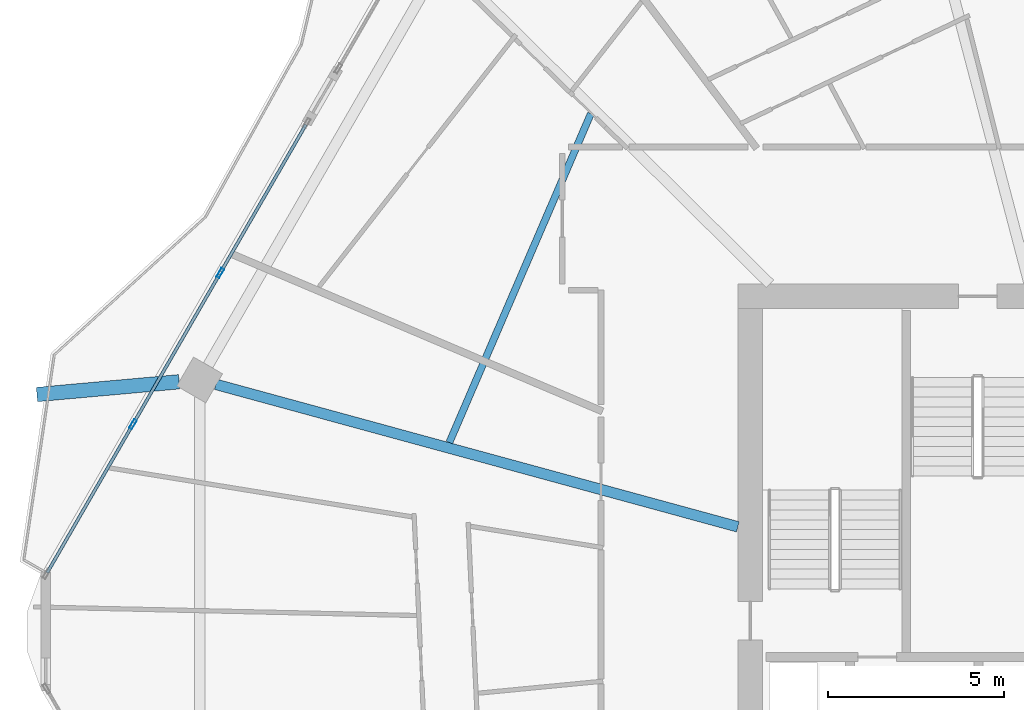
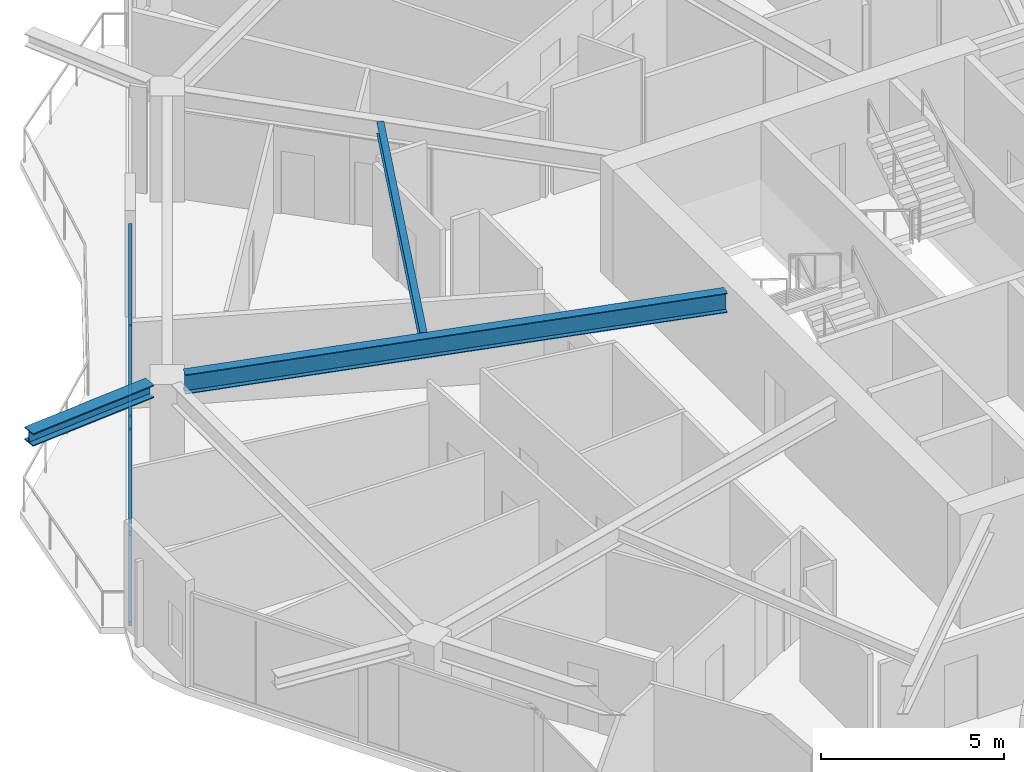
# One storey, part 10 of 27: 8 members, 3 beams, 1 element without a shape of its own.
"""IFC4 building model written with IfcOpenShell, lengths in metres."""

from ifc_helpers import new_model, si_unit, direction, frame, origin, origin_2d, place, context, subcontext, project, spatial, hollow_rectangle, i_section, extrude, material, material_profile, profile_set, type_object, element, aggregate, save


model = new_model("IFC4")

# Units and contexts
model_context = context("Model", 3, precision=1e-05, world=origin(), true_north=direction((0.0, 1.0)))
body_context = subcontext(model_context, "Body", "Model", "MODEL_VIEW")
ifc_project = project(units=[si_unit("LENGTHUNIT", "METRE"), si_unit("AREAUNIT", "SQUARE_METRE"), si_unit("VOLUMEUNIT", "CUBIC_METRE"), si_unit("PLANEANGLEUNIT", "RADIAN"), si_unit("MASSUNIT", "GRAM", prefix="KILO")], contexts=[model_context])

# Site, building, storey
site_placement = place(None, origin())
site = spatial("IfcSite", under=ifc_project, at=site_placement, CompositionType="ELEMENT")
building_placement = place(site_placement, origin())
building = spatial("IfcBuilding", under=site, at=building_placement, Name="Zuhravey Tower", CompositionType="ELEMENT")
storey_placement = place(building_placement, frame((0.0, 0.0, 188.39990234375)))
storey = spatial("IfcBuildingStorey", under=building, at=storey_placement, Name="L47", CompositionType="ELEMENT", Elevation=188.39990234375)

# Curtain wall, members
ifc_material_1 = material(Name="Thermally broken anodised aluminium", Category="aluminium")
curtain_wall_type = type_object("IfcCurtainWallType", Name="Zone 1-2 Residential Curtain Wall CW3", PredefinedType="NOTDEFINED", material=ifc_material_1)
curtain_wall_placement = place(storey_placement, origin())
curtain_wall = element("IfcCurtainWall", 1, at=curtain_wall_placement, inside=storey, type_object=curtain_wall_type, Name="L47 CW3 CW-L47-F3-1", PredefinedType="NOTDEFINED")
ifc_material_2 = material(Name="Anodised aluminium", Category="aluminium")
ifc_material_profile_1 = material_profile(ifc_material_2, hollow_rectangle(XDim=0.090087890625, YDim=0.284912109375, WallThickness=0.0048828125, at=origin_2d()), Name="ALU-RHS-90x285x5")
ifc_profile_set_1 = profile_set([ifc_material_profile_1], Name="Anodised aluminium")
member_type_1 = type_object("IfcMemberType", Name="Curtain-Wall Mullion 90x180", PredefinedType="MULLION", material=ifc_profile_set_1)
member_1_placement = place(storey_placement, frame((8.001708984375, 37.871826171875, 0.0), z_axis=(0.0, 0.0, 1.0), x_axis=(-0.866026141211, 0.499998722737, 0.0)))
member_1 = element("IfcMember", 2, at=member_1_placement, type_object=member_type_1, Name="CW3 mullion 2", PredefinedType="MULLION", context=body_context, shape_type="SweptSolid", body=[
    extrude(hollow_rectangle(XDim=0.090087890625, YDim=0.284912109375, WallThickness=0.0048828125, at=origin_2d()), origin(), (0.0, 0.0, 1.0), 3.1220703125),
])
member_2_placement = place(storey_placement, frame((10.475341796875, 42.156005859375, 0.0), z_axis=(0.0, 0.0, 1.0), x_axis=(-0.866026141211, 0.499998722737, 0.0)))
member_2 = element("IfcMember", 3, at=member_2_placement, type_object=member_type_1, Name="CW3 mullion 3", PredefinedType="MULLION", context=body_context, shape_type="SweptSolid", body=[
    extrude(hollow_rectangle(XDim=0.090087890625, YDim=0.284912109375, WallThickness=0.0048828125, at=origin_2d()), origin(), (0.0, 0.0, 1.0), 3.1220703125),
])
ifc_material_profile_2 = material_profile(ifc_material_2, hollow_rectangle(XDim=0.090087890625, YDim=0.14990234375, WallThickness=0.0048828125, at=origin_2d()), Name="ALU-RHS-90x150x5")
ifc_profile_set_2 = profile_set([ifc_material_profile_2], Name="Anodised aluminium")
member_type_2 = type_object("IfcMemberType", Name="Curtain-Wall Transom 90x150", PredefinedType="USERDEFINED", material=ifc_profile_set_2)
member_3_placement = place(storey_placement, frame((5.5732421875, 33.66552734375, 0.045166015625), z_axis=(0.50000792458, 0.866020828478, 0.0), x_axis=(-0.866020828478, 0.50000792458, 0.0)))
member_3 = element("IfcMember", 4, at=member_3_placement, type_object=member_type_2, Name="CW3 transom 1.1", ObjectType="TRANSOM", PredefinedType="USERDEFINED", context=body_context, shape_type="SweptSolid", body=[
    extrude(hollow_rectangle(XDim=0.090087890625, YDim=0.14990234375, WallThickness=0.0048828125, at=origin_2d()), origin(), (0.0, 0.0, 1.0), 4.81201171875),
])
member_4_placement = place(storey_placement, frame((5.5732421875, 33.66552734375, 3.0771484375), z_axis=(0.50000792458, 0.866020828478, 0.0), x_axis=(-0.866020828478, 0.50000792458, 0.0)))
member_4 = element("IfcMember", 5, at=member_4_placement, type_object=member_type_2, Name="CW3 transom 1.2", ObjectType="TRANSOM", PredefinedType="USERDEFINED", context=body_context, shape_type="SweptSolid", body=[
    extrude(hollow_rectangle(XDim=0.090087890625, YDim=0.14990234375, WallThickness=0.0048828125, at=origin_2d()), origin(), (0.0, 0.0, 1.0), 4.81201171875),
])
member_5_placement = place(storey_placement, frame((8.024169921875, 37.910888671875, 0.045166015625), z_axis=(0.500031372725, 0.866007289976, 0.0), x_axis=(-0.866007289976, 0.500031372725, 0.0)))
member_5 = element("IfcMember", 6, at=member_5_placement, type_object=member_type_2, Name="CW3 transom 2.1", ObjectType="TRANSOM", PredefinedType="USERDEFINED", context=body_context, shape_type="SweptSolid", body=[
    extrude(hollow_rectangle(XDim=0.090087890625, YDim=0.14990234375, WallThickness=0.0048828125, at=origin_2d()), origin(), (0.0, 0.0, 1.0), 4.857177734375),
])
member_6_placement = place(storey_placement, frame((8.024169921875, 37.910888671875, 3.0771484375), z_axis=(0.500031372725, 0.866007289976, 0.0), x_axis=(-0.866007289976, 0.500031372725, 0.0)))
member_6 = element("IfcMember", 7, at=member_6_placement, type_object=member_type_2, Name="CW3 transom 2.2", ObjectType="TRANSOM", PredefinedType="USERDEFINED", context=body_context, shape_type="SweptSolid", body=[
    extrude(hollow_rectangle(XDim=0.090087890625, YDim=0.14990234375, WallThickness=0.0048828125, at=origin_2d()), origin(), (0.0, 0.0, 1.0), 4.857177734375),
])
member_7_placement = place(storey_placement, frame((10.497802734375, 42.195068359375, 0.045166015625), z_axis=(0.499985955615, 0.866033512162, 0.0), x_axis=(-0.866033512162, 0.499985955615, 0.0)))
member_7 = element("IfcMember", 8, at=member_7_placement, type_object=member_type_2, Name="CW3 transom 3.1", ObjectType="TRANSOM", PredefinedType="USERDEFINED", context=body_context, shape_type="SweptSolid", body=[
    extrude(hollow_rectangle(XDim=0.090087890625, YDim=0.14990234375, WallThickness=0.0048828125, at=origin_2d()), origin(), (0.0, 0.0, 1.0), 4.812255859375),
])
member_8_placement = place(storey_placement, frame((10.497802734375, 42.195068359375, 3.0771484375), z_axis=(0.499985955615, 0.866033512162, 0.0), x_axis=(-0.866033512162, 0.499985955615, 0.0)))
member_8 = element("IfcMember", 9, at=member_8_placement, type_object=member_type_2, Name="CW3 transom 3.2", ObjectType="TRANSOM", PredefinedType="USERDEFINED", context=body_context, shape_type="SweptSolid", body=[
    extrude(hollow_rectangle(XDim=0.090087890625, YDim=0.14990234375, WallThickness=0.0048828125, at=origin_2d()), origin(), (0.0, 0.0, 1.0), 4.812255859375),
])
aggregate(curtain_wall, [member_1, member_2, member_3, member_4, member_5, member_6, member_7, member_8])

# Beams
ifc_material_3 = material(Name="Steel SM460", Category="steel")
ifc_material_profile_3 = material_profile(ifc_material_3, i_section(OverallWidth=0.406982421875, OverallDepth=0.427978515625, WebThickness=0.02001953125, FlangeThickness=0.034912109375, at=origin_2d()), Name="H-428x407x20x35")
ifc_profile_set_3 = profile_set([ifc_material_profile_3], Name="Steel SM460")
beam_type_1 = type_object("IfcBeamType", Name="Exoskeleton Node Tie Beam H428x407", PredefinedType="BEAM", material=ifc_profile_set_3)
beam_1_placement = place(storey_placement, frame((9.31005859375, 39.07421875, 3.336181640625), z_axis=(-0.99601007457, -0.08924086147, 0.0), x_axis=(0.08924086147, -0.99601007457, 0.0)))
element("IfcBeam", 10, at=beam_1_placement, inside=storey, type_object=beam_type_1, Name="L47 Exoskeleton Node Tie NT1-06", PredefinedType="BEAM", context=body_context, shape_type="SweptSolid", body=[
    extrude(i_section(OverallWidth=0.406982421875, OverallDepth=0.427978515625, WebThickness=0.02001953125, FlangeThickness=0.034912109375, at=origin_2d()), origin(), (0.0, 0.0, 1.0), 4.046142578125),
])
ifc_material_4 = material(Name="Steel SM355", Category="steel")
ifc_material_profile_4 = material_profile(ifc_material_4, i_section(OverallWidth=0.300048828125, OverallDepth=0.64990234375, WebThickness=0.012939453125, FlangeThickness=0.02197265625, at=origin_2d()), Name="H-650x300x13x22")
ifc_profile_set_4 = profile_set([ifc_material_profile_4], Name="Steel SM355")
beam_type_2 = type_object("IfcBeamType", Name="Radial Primary Girder H650x300", PredefinedType="BEAM", material=ifc_profile_set_4)
beam_2_placement = place(storey_placement, frame((25.14697265625, 34.96240234375, 3.22509765625), z_axis=(-0.964701703464, 0.263345065139, 0.0), x_axis=(-0.263345065139, -0.964701703464, 0.0)))
element("IfcBeam", 11, at=beam_2_placement, inside=storey, type_object=beam_type_2, Name="L47 RG2 BM-L47-RAD-06", PredefinedType="BEAM", context=body_context, shape_type="SweptSolid", body=[
    extrude(i_section(OverallWidth=0.300048828125, OverallDepth=0.64990234375, WebThickness=0.012939453125, FlangeThickness=0.02197265625, at=origin_2d()), origin(), (0.0, 0.0, 1.0), 15.334716796875),
])
ifc_material_profile_5 = material_profile(ifc_material_4, i_section(OverallWidth=0.199951171875, OverallDepth=0.39990234375, WebThickness=0.008056640625, FlangeThickness=0.012939453125, at=origin_2d()), Name="H-400x200x8x13")
ifc_profile_set_5 = profile_set([ifc_material_profile_5], Name="Steel SM355")
beam_type_3 = type_object("IfcBeamType", Name="Secondary Floor Joist H400x200", PredefinedType="JOIST", material=ifc_profile_set_5)
beam_3_placement = place(storey_placement, frame((20.982421875, 46.676025390625, 3.35009765625), z_axis=(-0.395265853487, -0.918566766799, 0.0), x_axis=(0.918566766799, -0.395265853487, 0.0)))
element("IfcBeam", 12, at=beam_3_placement, inside=storey, type_object=beam_type_3, Name="L47 SJ2 BM-L47-SJ-05-1", PredefinedType="JOIST", context=body_context, shape_type="SweptSolid", body=[
    extrude(i_section(OverallWidth=0.199951171875, OverallDepth=0.39990234375, WebThickness=0.008056640625, FlangeThickness=0.012939453125, at=origin_2d()), origin(), (0.0, 0.0, 1.0), 10.150146484375),
])

save(model, "model.ifc")
